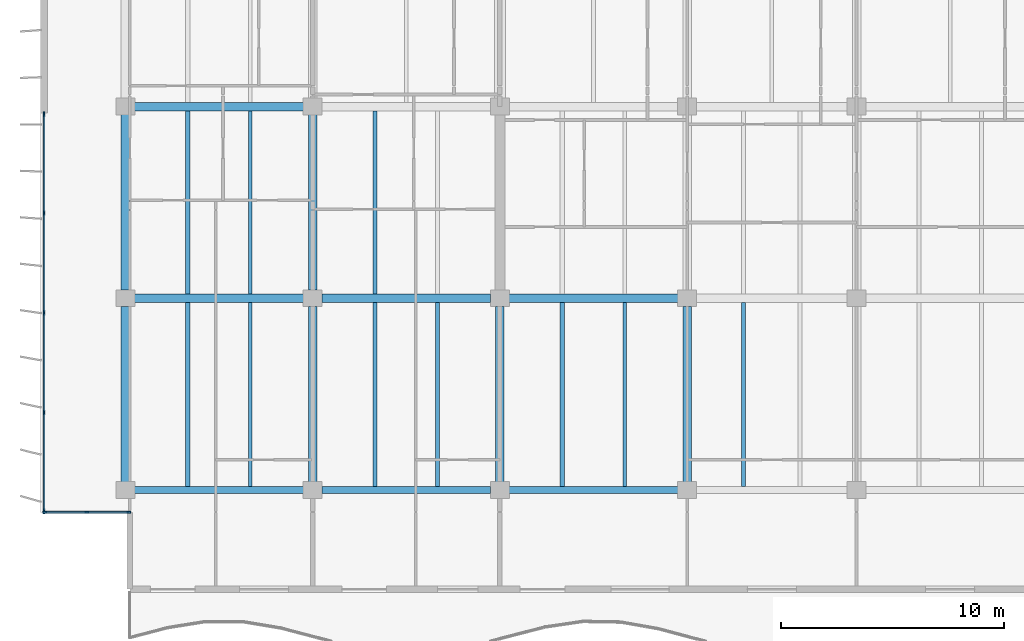
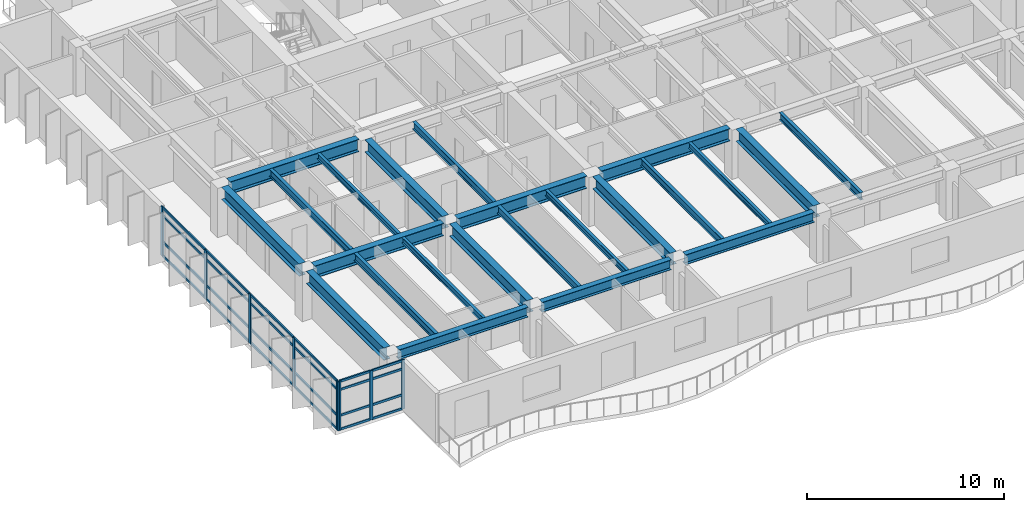
# One storey, part 2 of 18: 32 members, 23 beams, 2 elements without a shape of their own.
"""IFC4 building model written with IfcOpenShell, lengths in metres."""

from ifc_helpers import new_model, si_unit, direction, frame, origin, origin_2d, place, context, subcontext, project, spatial, rectangle, i_section, extrude, material, layer, layer_set, material_profile, profile_set, type_object, element, aggregate, save


model = new_model("IFC4")

# Units and contexts
model_context = context("Model", 3, precision=1e-05, world=origin(), true_north=direction((0.0, 1.0)))
body_context = subcontext(model_context, "Body", "Model", "MODEL_VIEW")
ifc_project = project(units=[si_unit("LENGTHUNIT", "METRE"), si_unit("AREAUNIT", "SQUARE_METRE"), si_unit("VOLUMEUNIT", "CUBIC_METRE"), si_unit("PLANEANGLEUNIT", "RADIAN"), si_unit("MASSUNIT", "GRAM", prefix="KILO")], contexts=[model_context])

# Site, building, storey
site_placement = place(None, origin())
site = spatial("IfcSite", under=ifc_project, at=site_placement, CompositionType="ELEMENT")
building_placement = place(site_placement, origin())
building = spatial("IfcBuilding", under=site, at=building_placement, Name="Caelmar Bay Residences", CompositionType="ELEMENT")
storey_placement = place(building_placement, frame((0.0, 0.0, 173.699951171875)))
storey = spatial("IfcBuildingStorey", under=building, at=storey_placement, Name="L48", CompositionType="ELEMENT", Elevation=173.699951171875)

# Beams
ifc_material_1 = material(Name="Steel ASTM A992 Grade 50", Category="steel")
ifc_material_profile_1 = material_profile(ifc_material_1, i_section(OverallWidth=0.381103515625, OverallDepth=0.77197265625, WebThickness=0.0166015625, FlangeThickness=0.027099609375, FilletRadius=0.0166015625, at=origin_2d()), Name="W30X173")
ifc_profile_set_1 = profile_set([ifc_material_profile_1], Name="Steel ASTM A992 Grade 50")
beam_type_1 = type_object("IfcBeamType", Name="BM-GRD-W30X173", PredefinedType="BEAM", material=ifc_profile_set_1)
beam_1_placement = place(storey_placement, frame((10.31494140625, 20.800048828125, 2.6640625), z_axis=(1.0, 0.0, 0.0), x_axis=(0.0, 1.0, 0.0)))
element("IfcBeam", 1, at=beam_1_placement, inside=storey, type_object=beam_type_1, Name="L48 East-West Girder Y=20.80 (9.9-18.3)", PredefinedType="BEAM", context=body_context, shape_type="SweptSolid", body=[
    extrude(i_section(OverallWidth=0.381103515625, OverallDepth=0.77197265625, WebThickness=0.0166015625, FlangeThickness=0.027099609375, FilletRadius=0.0166015625, at=origin_2d()), origin(), (0.0, 0.0, 1.0), 7.570068359375),
])
beam_2_placement = place(storey_placement, frame((18.715087890625, 20.800048828125, 2.6640625), z_axis=(1.0, 0.0, 0.0), x_axis=(0.0, 1.0, 0.0)))
element("IfcBeam", 2, at=beam_2_placement, inside=storey, type_object=beam_type_1, Name="L48 East-West Girder Y=20.80 (18.3-26.7)", PredefinedType="BEAM", context=body_context, shape_type="SweptSolid", body=[
    extrude(i_section(OverallWidth=0.381103515625, OverallDepth=0.77197265625, WebThickness=0.0166015625, FlangeThickness=0.027099609375, FilletRadius=0.0166015625, at=origin_2d()), origin(), (0.0, 0.0, 1.0), 7.56982421875),
])
for number, where, z_axis, x_axis, name in (
    (3, (27.114990234375, 20.800048828125, 2.6640625), (1.0, 0.0, 0.0), (0.0, 1.0, 0.0), "L48 East-West Girder Y=20.80 (26.7-35.1)"),
    (4, (10.31494140625, 29.39990234375, 2.6640625), (1.0, 0.0, 0.0), (0.0, 1.0, 0.0), "L48 East-West Girder Y=29.40 (9.9-18.3)"),
):
    element("IfcBeam", number, at=place(storey_placement, frame(where, z_axis=z_axis, x_axis=x_axis)), inside=storey, type_object=beam_type_1, Name=name, PredefinedType="BEAM", context=body_context, shape_type="SweptSolid", body=[
        extrude(i_section(OverallWidth=0.381103515625, OverallDepth=0.77197265625, WebThickness=0.0166015625, FlangeThickness=0.027099609375, FilletRadius=0.0166015625, at=origin_2d()), origin(), (0.0, 0.0, 1.0), 7.570068359375),
    ])
beam_3_placement = place(storey_placement, frame((9.89990234375, 12.56494140625, 2.6640625), z_axis=(0.0, 1.0, 0.0), x_axis=(-1.0, 0.0, 0.0)))
element("IfcBeam", 5, at=beam_3_placement, inside=storey, type_object=beam_type_1, Name="L48 North-South Girder X=9.90 (12.2-20.8)", PredefinedType="BEAM", context=body_context, shape_type="SweptSolid", body=[
    extrude(i_section(OverallWidth=0.381103515625, OverallDepth=0.77197265625, WebThickness=0.0166015625, FlangeThickness=0.027099609375, FilletRadius=0.0166015625, at=origin_2d()), origin(), (0.0, 0.0, 1.0), 7.8701171875),
])
beam_4_placement = place(storey_placement, frame((9.89990234375, 21.1650390625, 2.6640625), z_axis=(0.0, 1.0, 0.0), x_axis=(-1.0, 0.0, 0.0)))
element("IfcBeam", 6, at=beam_4_placement, inside=storey, type_object=beam_type_1, Name="L48 North-South Girder X=9.90 (20.8-29.4)", PredefinedType="BEAM", context=body_context, shape_type="SweptSolid", body=[
    extrude(i_section(OverallWidth=0.381103515625, OverallDepth=0.77197265625, WebThickness=0.0166015625, FlangeThickness=0.027099609375, FilletRadius=0.0166015625, at=origin_2d()), origin(), (0.0, 0.0, 1.0), 7.869873046875),
])
beam_5_placement = place(storey_placement, frame((18.300048828125, 12.56494140625, 2.6640625), z_axis=(0.0, 1.0, 0.0), x_axis=(-1.0, 0.0, 0.0)))
element("IfcBeam", 7, at=beam_5_placement, inside=storey, type_object=beam_type_1, Name="L48 North-South Girder X=18.30 (12.2-20.8)", PredefinedType="BEAM", context=body_context, shape_type="SweptSolid", body=[
    extrude(i_section(OverallWidth=0.381103515625, OverallDepth=0.77197265625, WebThickness=0.0166015625, FlangeThickness=0.027099609375, FilletRadius=0.0166015625, at=origin_2d()), origin(), (0.0, 0.0, 1.0), 7.8701171875),
])
beam_6_placement = place(storey_placement, frame((18.300048828125, 21.1650390625, 2.6640625), z_axis=(0.0, 1.0, 0.0), x_axis=(-1.0, 0.0, 0.0)))
element("IfcBeam", 8, at=beam_6_placement, inside=storey, type_object=beam_type_1, Name="L48 North-South Girder X=18.30 (20.8-29.4)", PredefinedType="BEAM", context=body_context, shape_type="SweptSolid", body=[
    extrude(i_section(OverallWidth=0.381103515625, OverallDepth=0.77197265625, WebThickness=0.0166015625, FlangeThickness=0.027099609375, FilletRadius=0.0166015625, at=origin_2d()), origin(), (0.0, 0.0, 1.0), 7.869873046875),
])
for number, where, z_axis, x_axis, name in (
    (9, (26.699951171875, 12.56494140625, 2.6640625), (0.0, 1.0, 0.0), (-1.0, 0.0, 0.0), "L48 North-South Girder X=26.70 (12.2-20.8)"),
    (10, (35.10009765625, 12.56494140625, 2.6640625), (0.0, 1.0, 0.0), (-1.0, 0.0, 0.0), "L48 North-South Girder X=35.10 (12.2-20.8)"),
):
    element("IfcBeam", number, at=place(storey_placement, frame(where, z_axis=z_axis, x_axis=x_axis)), inside=storey, type_object=beam_type_1, Name=name, PredefinedType="BEAM", context=body_context, shape_type="SweptSolid", body=[
        extrude(i_section(OverallWidth=0.381103515625, OverallDepth=0.77197265625, WebThickness=0.0166015625, FlangeThickness=0.027099609375, FilletRadius=0.0166015625, at=origin_2d()), origin(), (0.0, 0.0, 1.0), 7.8701171875),
    ])
ifc_material_profile_2 = material_profile(ifc_material_1, i_section(OverallWidth=0.1708984375, OverallDepth=0.35595703125, WebThickness=0.007080078125, FlangeThickness=0.01171875, FilletRadius=0.007568359375, at=origin_2d()), Name="W14X34")
ifc_profile_set_2 = profile_set([ifc_material_profile_2], Name="Steel ASTM A992 Grade 50")
beam_type_2 = type_object("IfcBeamType", Name="BM-JST-W14X34", PredefinedType="JOIST", material=ifc_profile_set_2)
for number, where, z_axis, x_axis, name in (
    (11, (15.5, 12.362548828125, 2.8720703125), (0.0, 1.0, 0.0), (-1.0, 0.0, 0.0), "L48 Composite Floor Joist 2"),
    (12, (23.89990234375, 12.362548828125, 2.8720703125), (0.0, 1.0, 0.0), (-1.0, 0.0, 0.0), "L48 Composite Floor Joist 4"),
    (13, (32.300048828125, 12.362548828125, 2.8720703125), (0.0, 1.0, 0.0), (-1.0, 0.0, 0.0), "L48 Composite Floor Joist 6"),
):
    element("IfcBeam", number, at=place(storey_placement, frame(where, z_axis=z_axis, x_axis=x_axis)), inside=storey, type_object=beam_type_2, Name=name, PredefinedType="JOIST", context=body_context, shape_type="SweptSolid", body=[
        extrude(i_section(OverallWidth=0.1708984375, OverallDepth=0.35595703125, WebThickness=0.007080078125, FlangeThickness=0.01171875, FilletRadius=0.007568359375, at=origin_2d()), origin(), (0.0, 0.0, 1.0), 8.2470703125),
    ])
beam_7_placement = place(storey_placement, frame((15.5, 20.990478515625, 2.8720703125), z_axis=(0.0, 1.0, 0.0), x_axis=(-1.0, 0.0, 0.0)))
element("IfcBeam", 14, at=beam_7_placement, inside=storey, type_object=beam_type_2, Name="L48 Composite Floor Joist 16", PredefinedType="JOIST", context=body_context, shape_type="SweptSolid", body=[
    extrude(i_section(OverallWidth=0.1708984375, OverallDepth=0.35595703125, WebThickness=0.007080078125, FlangeThickness=0.01171875, FilletRadius=0.007568359375, at=origin_2d()), origin(), (0.0, 0.0, 1.0), 8.218994140625),
])
ifc_material_profile_3 = material_profile(ifc_material_1, i_section(OverallWidth=0.19091796875, OverallDepth=0.45703125, WebThickness=0.009033203125, FlangeThickness=0.014404296875, FilletRadius=0.01025390625, at=origin_2d()), Name="W18X50")
ifc_profile_set_3 = profile_set([ifc_material_profile_3], Name="Steel ASTM A992 Grade 50")
beam_type_3 = type_object("IfcBeamType", Name="BM-JST-W18X50", PredefinedType="JOIST", material=ifc_profile_set_3)
for number, where, z_axis, x_axis, name in (
    (15, (12.699951171875, 12.362548828125, 2.821533203125), (0.0, 1.0, 0.0), (-1.0, 0.0, 0.0), "L48 Composite Floor Joist 1"),
    (16, (21.10009765625, 12.362548828125, 2.821533203125), (0.0, 1.0, 0.0), (-1.0, 0.0, 0.0), "L48 Composite Floor Joist 3"),
    (17, (29.5, 12.362548828125, 2.821533203125), (0.0, 1.0, 0.0), (-1.0, 0.0, 0.0), "L48 Composite Floor Joist 5"),
    (18, (37.63330078125, 12.362548828125, 2.821533203125), (0.0, 1.0, 0.0), (-1.0, 0.0, 0.0), "L48 Composite Floor Joist 7"),
):
    element("IfcBeam", number, at=place(storey_placement, frame(where, z_axis=z_axis, x_axis=x_axis)), inside=storey, type_object=beam_type_3, Name=name, PredefinedType="JOIST", context=body_context, shape_type="SweptSolid", body=[
        extrude(i_section(OverallWidth=0.19091796875, OverallDepth=0.45703125, WebThickness=0.009033203125, FlangeThickness=0.014404296875, FilletRadius=0.01025390625, at=origin_2d()), origin(), (0.0, 0.0, 1.0), 8.2470703125),
    ])
for number, where, z_axis, x_axis, name in (
    (19, (12.699951171875, 20.990478515625, 2.821533203125), (0.0, 1.0, 0.0), (-1.0, 0.0, 0.0), "L48 Composite Floor Joist 15"),
    (20, (21.10009765625, 20.990478515625, 2.821533203125), (0.0, 1.0, 0.0), (-1.0, 0.0, 0.0), "L48 Composite Floor Joist 17"),
):
    element("IfcBeam", number, at=place(storey_placement, frame(where, z_axis=z_axis, x_axis=x_axis)), inside=storey, type_object=beam_type_3, Name=name, PredefinedType="JOIST", context=body_context, shape_type="SweptSolid", body=[
        extrude(i_section(OverallWidth=0.19091796875, OverallDepth=0.45703125, WebThickness=0.009033203125, FlangeThickness=0.014404296875, FilletRadius=0.01025390625, at=origin_2d()), origin(), (0.0, 0.0, 1.0), 8.218994140625),
    ])
ifc_material_profile_4 = material_profile(ifc_material_1, i_section(OverallWidth=0.324951171875, OverallDepth=0.616943359375, WebThickness=0.013916015625, FlangeThickness=0.021484375, FilletRadius=0.0126953125, at=origin_2d()), Name="W24X117")
ifc_profile_set_4 = profile_set([ifc_material_profile_4], Name="Steel ASTM A992 Grade 50")
beam_type_4 = type_object("IfcBeamType", Name="BM-SPN-W24X117", PredefinedType="SPANDREL", material=ifc_profile_set_4)
beam_8_placement = place(storey_placement, frame((10.31494140625, 12.199951171875, 2.741455078125), z_axis=(1.0, 0.0, 0.0), x_axis=(0.0, 1.0, 0.0)))
element("IfcBeam", 21, at=beam_8_placement, inside=storey, type_object=beam_type_4, Name="L48 East-West Girder Y=12.20 (9.9-18.3)", PredefinedType="SPANDREL", context=body_context, shape_type="SweptSolid", body=[
    extrude(i_section(OverallWidth=0.324951171875, OverallDepth=0.616943359375, WebThickness=0.013916015625, FlangeThickness=0.021484375, FilletRadius=0.0126953125, at=origin_2d()), origin(), (0.0, 0.0, 1.0), 7.570068359375),
])
beam_9_placement = place(storey_placement, frame((18.715087890625, 12.199951171875, 2.741455078125), z_axis=(1.0, 0.0, 0.0), x_axis=(0.0, 1.0, 0.0)))
element("IfcBeam", 22, at=beam_9_placement, inside=storey, type_object=beam_type_4, Name="L48 East-West Girder Y=12.20 (18.3-26.7)", PredefinedType="SPANDREL", context=body_context, shape_type="SweptSolid", body=[
    extrude(i_section(OverallWidth=0.324951171875, OverallDepth=0.616943359375, WebThickness=0.013916015625, FlangeThickness=0.021484375, FilletRadius=0.0126953125, at=origin_2d()), origin(), (0.0, 0.0, 1.0), 7.56982421875),
])
beam_10_placement = place(storey_placement, frame((27.114990234375, 12.199951171875, 2.741455078125), z_axis=(1.0, 0.0, 0.0), x_axis=(0.0, 1.0, 0.0)))
element("IfcBeam", 23, at=beam_10_placement, inside=storey, type_object=beam_type_4, Name="L48 East-West Girder Y=12.20 (26.7-35.1)", PredefinedType="SPANDREL", context=body_context, shape_type="SweptSolid", body=[
    extrude(i_section(OverallWidth=0.324951171875, OverallDepth=0.616943359375, WebThickness=0.013916015625, FlangeThickness=0.021484375, FilletRadius=0.0126953125, at=origin_2d()), origin(), (0.0, 0.0, 1.0), 7.570068359375),
])

# Curtain wall, members
ifc_material_2 = material(Name="Anodised bronze aluminium 6063-T6 and laminated glass", Category="aluminium")
ifc_layer_1 = layer(ifc_material_2, 0.179931640625)
ifc_layer_set_1 = layer_set([ifc_layer_1], Name="Anodised bronze aluminium 6063-T6 and laminated glass")
curtain_wall_type_1 = type_object("IfcCurtainWallType", Name="CW6-NTC", PredefinedType="NOTDEFINED", material=ifc_layer_set_1)
curtain_wall_1_placement = place(storey_placement, origin())
curtain_wall_1 = element("IfcCurtainWall", 24, at=curtain_wall_1_placement, inside=storey, type_object=curtain_wall_type_1, Name="CW6 curtain wall L48", PredefinedType="NOTDEFINED")
ifc_material_3 = material(Name="Anodised bronze aluminium 6063-T6", Category="aluminium")
ifc_material_profile_5 = material_profile(ifc_material_3, rectangle(XDim=0.080078125, YDim=0.179931640625, at=origin_2d()), Name="CWM-80X180")
ifc_profile_set_5 = profile_set([ifc_material_profile_5], Name="Anodised bronze aluminium 6063-T6")
member_type_1 = type_object("IfcMemberType", Name="CWM-180", PredefinedType="MULLION", material=ifc_profile_set_5)
member_1_placement = place(storey_placement, frame((6.2900390625, 11.199951171875, 0.0), z_axis=(0.0, 0.0, 1.0), x_axis=(0.0, 1.0, 0.0)))
member_1 = element("IfcMember", 25, at=member_1_placement, type_object=member_type_1, Name="CW6 mullion 1", PredefinedType="MULLION", context=body_context, shape_type="SweptSolid", body=[
    extrude(rectangle(XDim=0.080078125, YDim=0.179931640625, at=origin_2d()), origin(), (0.0, 0.0, 1.0), 3.050048828125),
])
member_2_placement = place(storey_placement, frame((8.175048828125, 11.199951171875, 0.0), z_axis=(0.0, 0.0, 1.0), x_axis=(0.0, 1.0, 0.0)))
member_2 = element("IfcMember", 26, at=member_2_placement, type_object=member_type_1, Name="CW6 mullion 2", PredefinedType="MULLION", context=body_context, shape_type="SweptSolid", body=[
    extrude(rectangle(XDim=0.080078125, YDim=0.179931640625, at=origin_2d()), origin(), (0.0, 0.0, 1.0), 3.050048828125),
])
member_3_placement = place(storey_placement, frame((10.06005859375, 11.199951171875, 0.0), z_axis=(0.0, 0.0, 1.0), x_axis=(0.0, 1.0, 0.0)))
member_3 = element("IfcMember", 27, at=member_3_placement, type_object=member_type_1, Name="CW6 mullion 3", PredefinedType="MULLION", context=body_context, shape_type="SweptSolid", body=[
    extrude(rectangle(XDim=0.080078125, YDim=0.179931640625, at=origin_2d()), origin(), (0.0, 0.0, 1.0), 3.050048828125),
])

ifc_layer_2 = layer(ifc_material_2, 0.179931640625)
ifc_layer_set_2 = layer_set([ifc_layer_2], Name="Anodised bronze aluminium 6063-T6 and laminated glass")
curtain_wall_type_2 = type_object("IfcCurtainWallType", Name="CW4-Z3", PredefinedType="NOTDEFINED", material=ifc_layer_set_2)
curtain_wall_2_placement = place(storey_placement, origin())
curtain_wall_2 = element("IfcCurtainWall", 28, at=curtain_wall_2_placement, inside=storey, type_object=curtain_wall_type_2, Name="CW4 curtain wall L48", PredefinedType="NOTDEFINED")
ifc_material_profile_6 = material_profile(ifc_material_3, rectangle(XDim=0.080078125, YDim=0.219970703125, at=origin_2d()), Name="CWM-80X220")
ifc_profile_set_6 = profile_set([ifc_material_profile_6], Name="Anodised bronze aluminium 6063-T6")
member_type_2 = type_object("IfcMemberType", Name="CWM-220", PredefinedType="MULLION", material=ifc_profile_set_6)
member_4_placement = place(storey_placement, frame((6.25, 11.239990234375, 0.0), z_axis=(0.0, 0.0, 1.0), x_axis=(-1.0, 0.0, 0.0)))
member_4 = element("IfcMember", 29, at=member_4_placement, type_object=member_type_2, Name="CW4 mullion 1", PredefinedType="MULLION", context=body_context, shape_type="SweptSolid", body=[
    extrude(rectangle(XDim=0.080078125, YDim=0.219970703125, at=origin_2d()), origin(), (0.0, 0.0, 1.0), 3.050048828125),
])
member_5_placement = place(storey_placement, frame((6.25, 15.675048828125, 0.0), z_axis=(0.0, 0.0, 1.0), x_axis=(-1.0, 0.0, 0.0)))
member_5 = element("IfcMember", 30, at=member_5_placement, type_object=member_type_2, Name="CW4 mullion 2", PredefinedType="MULLION", context=body_context, shape_type="SweptSolid", body=[
    extrude(rectangle(XDim=0.080078125, YDim=0.219970703125, at=origin_2d()), origin(), (0.0, 0.0, 1.0), 3.050048828125),
])
member_6_placement = place(storey_placement, frame((6.25, 20.14990234375, 0.0), z_axis=(0.0, 0.0, 1.0), x_axis=(-1.0, 0.0, 0.0)))
member_6 = element("IfcMember", 31, at=member_6_placement, type_object=member_type_2, Name="CW4 mullion 3", PredefinedType="MULLION", context=body_context, shape_type="SweptSolid", body=[
    extrude(rectangle(XDim=0.080078125, YDim=0.219970703125, at=origin_2d()), origin(), (0.0, 0.0, 1.0), 3.050048828125),
])
member_7_placement = place(storey_placement, frame((6.25, 24.625, 0.0), z_axis=(0.0, 0.0, 1.0), x_axis=(-1.0, 0.0, 0.0)))
member_7 = element("IfcMember", 32, at=member_7_placement, type_object=member_type_2, Name="CW4 mullion 4", PredefinedType="MULLION", context=body_context, shape_type="SweptSolid", body=[
    extrude(rectangle(XDim=0.080078125, YDim=0.219970703125, at=origin_2d()), origin(), (0.0, 0.0, 1.0), 3.050048828125),
])
member_8_placement = place(storey_placement, frame((6.25, 29.06005859375, 0.0), z_axis=(0.0, 0.0, 1.0), x_axis=(-1.0, 0.0, 0.0)))
member_8 = element("IfcMember", 33, at=member_8_placement, type_object=member_type_2, Name="CW4 mullion 5", PredefinedType="MULLION", context=body_context, shape_type="SweptSolid", body=[
    extrude(rectangle(XDim=0.080078125, YDim=0.219970703125, at=origin_2d()), origin(), (0.0, 0.0, 1.0), 3.050048828125),
])

# Member
ifc_material_profile_7 = material_profile(ifc_material_3, rectangle(XDim=0.080078125, YDim=0.139892578125, at=origin_2d()), Name="CWT-80X140")
ifc_profile_set_7 = profile_set([ifc_material_profile_7], Name="Anodised bronze aluminium 6063-T6")
member_type_3 = type_object("IfcMemberType", Name="CWT-140", PredefinedType="NOTDEFINED", material=ifc_profile_set_7)
member_9_placement = place(storey_placement, frame((6.330078125, 11.199951171875, 0.0400390625), z_axis=(1.0, 0.0, 0.0), x_axis=(0.0, 1.0, 0.0)))
member_9 = element("IfcMember", 34, at=member_9_placement, type_object=member_type_3, Name="CW6 transom 1.1", ObjectType="TRANSOM", PredefinedType="USERDEFINED", context=body_context, shape_type="SweptSolid", body=[
    extrude(rectangle(XDim=0.080078125, YDim=0.139892578125, at=origin_2d()), origin(), (0.0, 0.0, 1.0), 1.804931640625),
])

member_10_placement = place(storey_placement, frame((6.330078125, 11.199951171875, 0.900146484375), z_axis=(1.0, 0.0, 0.0), x_axis=(0.0, 1.0, 0.0)))
member_10 = element("IfcMember", 35, at=member_10_placement, type_object=member_type_3, Name="CW6 transom 1.2", ObjectType="TRANSOM", PredefinedType="USERDEFINED", context=body_context, shape_type="SweptSolid", body=[
    extrude(rectangle(XDim=0.080078125, YDim=0.139892578125, at=origin_2d()), origin(), (0.0, 0.0, 1.0), 1.804931640625),
])

member_11_placement = place(storey_placement, frame((6.330078125, 11.199951171875, 2.5), z_axis=(1.0, 0.0, 0.0), x_axis=(0.0, 1.0, 0.0)))
member_11 = element("IfcMember", 36, at=member_11_placement, type_object=member_type_3, Name="CW6 transom 1.3", ObjectType="TRANSOM", PredefinedType="USERDEFINED", context=body_context, shape_type="SweptSolid", body=[
    extrude(rectangle(XDim=0.080078125, YDim=0.139892578125, at=origin_2d()), origin(), (0.0, 0.0, 1.0), 1.804931640625),
])

member_12_placement = place(storey_placement, frame((6.330078125, 11.199951171875, 3.010009765625), z_axis=(1.0, 0.0, 0.0), x_axis=(0.0, 1.0, 0.0)))
member_12 = element("IfcMember", 37, at=member_12_placement, type_object=member_type_3, Name="CW6 transom 1.4", ObjectType="TRANSOM", PredefinedType="USERDEFINED", context=body_context, shape_type="SweptSolid", body=[
    extrude(rectangle(XDim=0.080078125, YDim=0.139892578125, at=origin_2d()), origin(), (0.0, 0.0, 1.0), 1.804931640625),
])

member_13_placement = place(storey_placement, frame((8.215087890625, 11.199951171875, 0.0400390625), z_axis=(1.0, 0.0, 0.0), x_axis=(0.0, 1.0, 0.0)))
member_13 = element("IfcMember", 38, at=member_13_placement, type_object=member_type_3, Name="CW6 transom 2.1", ObjectType="TRANSOM", PredefinedType="USERDEFINED", context=body_context, shape_type="SweptSolid", body=[
    extrude(rectangle(XDim=0.080078125, YDim=0.139892578125, at=origin_2d()), origin(), (0.0, 0.0, 1.0), 1.804931640625),
])

member_14_placement = place(storey_placement, frame((8.215087890625, 11.199951171875, 0.900146484375), z_axis=(1.0, 0.0, 0.0), x_axis=(0.0, 1.0, 0.0)))
member_14 = element("IfcMember", 39, at=member_14_placement, type_object=member_type_3, Name="CW6 transom 2.2", ObjectType="TRANSOM", PredefinedType="USERDEFINED", context=body_context, shape_type="SweptSolid", body=[
    extrude(rectangle(XDim=0.080078125, YDim=0.139892578125, at=origin_2d()), origin(), (0.0, 0.0, 1.0), 1.804931640625),
])

member_15_placement = place(storey_placement, frame((8.215087890625, 11.199951171875, 2.5), z_axis=(1.0, 0.0, 0.0), x_axis=(0.0, 1.0, 0.0)))
member_15 = element("IfcMember", 40, at=member_15_placement, type_object=member_type_3, Name="CW6 transom 2.3", ObjectType="TRANSOM", PredefinedType="USERDEFINED", context=body_context, shape_type="SweptSolid", body=[
    extrude(rectangle(XDim=0.080078125, YDim=0.139892578125, at=origin_2d()), origin(), (0.0, 0.0, 1.0), 1.804931640625),
])

member_16_placement = place(storey_placement, frame((8.215087890625, 11.199951171875, 3.010009765625), z_axis=(1.0, 0.0, 0.0), x_axis=(0.0, 1.0, 0.0)))
member_16 = element("IfcMember", 41, at=member_16_placement, type_object=member_type_3, Name="CW6 transom 2.4", ObjectType="TRANSOM", PredefinedType="USERDEFINED", context=body_context, shape_type="SweptSolid", body=[
    extrude(rectangle(XDim=0.080078125, YDim=0.139892578125, at=origin_2d()), origin(), (0.0, 0.0, 1.0), 1.804931640625),
])

aggregate(curtain_wall_1, [member_1, member_2, member_3, member_9, member_10, member_11, member_12, member_13, member_14, member_15, member_16])

member_17_placement = place(storey_placement, frame((6.25, 11.280029296875, 0.0400390625), z_axis=(0.0, 1.0, 0.0), x_axis=(-1.0, 0.0, 0.0)))
member_17 = element("IfcMember", 42, at=member_17_placement, type_object=member_type_3, Name="CW4 transom 1.1", ObjectType="TRANSOM", PredefinedType="USERDEFINED", context=body_context, shape_type="SweptSolid", body=[
    extrude(rectangle(XDim=0.080078125, YDim=0.139892578125, at=origin_2d()), origin(), (0.0, 0.0, 1.0), 4.35498046875),
])

member_18_placement = place(storey_placement, frame((6.25, 11.280029296875, 0.900146484375), z_axis=(0.0, 1.0, 0.0), x_axis=(-1.0, 0.0, 0.0)))
member_18 = element("IfcMember", 43, at=member_18_placement, type_object=member_type_3, Name="CW4 transom 1.2", ObjectType="TRANSOM", PredefinedType="USERDEFINED", context=body_context, shape_type="SweptSolid", body=[
    extrude(rectangle(XDim=0.080078125, YDim=0.139892578125, at=origin_2d()), origin(), (0.0, 0.0, 1.0), 4.35498046875),
])

member_19_placement = place(storey_placement, frame((6.25, 11.280029296875, 2.5), z_axis=(0.0, 1.0, 0.0), x_axis=(-1.0, 0.0, 0.0)))
member_19 = element("IfcMember", 44, at=member_19_placement, type_object=member_type_3, Name="CW4 transom 1.3", ObjectType="TRANSOM", PredefinedType="USERDEFINED", context=body_context, shape_type="SweptSolid", body=[
    extrude(rectangle(XDim=0.080078125, YDim=0.139892578125, at=origin_2d()), origin(), (0.0, 0.0, 1.0), 4.35498046875),
])

member_20_placement = place(storey_placement, frame((6.25, 11.280029296875, 3.010009765625), z_axis=(0.0, 1.0, 0.0), x_axis=(-1.0, 0.0, 0.0)))
member_20 = element("IfcMember", 45, at=member_20_placement, type_object=member_type_3, Name="CW4 transom 1.4", ObjectType="TRANSOM", PredefinedType="USERDEFINED", context=body_context, shape_type="SweptSolid", body=[
    extrude(rectangle(XDim=0.080078125, YDim=0.139892578125, at=origin_2d()), origin(), (0.0, 0.0, 1.0), 4.35498046875),
])

member_21_placement = place(storey_placement, frame((6.25, 15.715087890625, 0.0400390625), z_axis=(0.0, 1.0, 0.0), x_axis=(-1.0, 0.0, 0.0)))
member_21 = element("IfcMember", 46, at=member_21_placement, type_object=member_type_3, Name="CW4 transom 2.1", ObjectType="TRANSOM", PredefinedType="USERDEFINED", context=body_context, shape_type="SweptSolid", body=[
    extrude(rectangle(XDim=0.080078125, YDim=0.139892578125, at=origin_2d()), origin(), (0.0, 0.0, 1.0), 4.39501953125),
])

member_22_placement = place(storey_placement, frame((6.25, 15.715087890625, 0.900146484375), z_axis=(0.0, 1.0, 0.0), x_axis=(-1.0, 0.0, 0.0)))
member_22 = element("IfcMember", 47, at=member_22_placement, type_object=member_type_3, Name="CW4 transom 2.2", ObjectType="TRANSOM", PredefinedType="USERDEFINED", context=body_context, shape_type="SweptSolid", body=[
    extrude(rectangle(XDim=0.080078125, YDim=0.139892578125, at=origin_2d()), origin(), (0.0, 0.0, 1.0), 4.39501953125),
])

member_23_placement = place(storey_placement, frame((6.25, 15.715087890625, 2.5), z_axis=(0.0, 1.0, 0.0), x_axis=(-1.0, 0.0, 0.0)))
member_23 = element("IfcMember", 48, at=member_23_placement, type_object=member_type_3, Name="CW4 transom 2.3", ObjectType="TRANSOM", PredefinedType="USERDEFINED", context=body_context, shape_type="SweptSolid", body=[
    extrude(rectangle(XDim=0.080078125, YDim=0.139892578125, at=origin_2d()), origin(), (0.0, 0.0, 1.0), 4.39501953125),
])

member_24_placement = place(storey_placement, frame((6.25, 15.715087890625, 3.010009765625), z_axis=(0.0, 1.0, 0.0), x_axis=(-1.0, 0.0, 0.0)))
member_24 = element("IfcMember", 49, at=member_24_placement, type_object=member_type_3, Name="CW4 transom 2.4", ObjectType="TRANSOM", PredefinedType="USERDEFINED", context=body_context, shape_type="SweptSolid", body=[
    extrude(rectangle(XDim=0.080078125, YDim=0.139892578125, at=origin_2d()), origin(), (0.0, 0.0, 1.0), 4.39501953125),
])

member_25_placement = place(storey_placement, frame((6.25, 20.18994140625, 0.0400390625), z_axis=(0.0, 1.0, 0.0), x_axis=(-1.0, 0.0, 0.0)))
member_25 = element("IfcMember", 50, at=member_25_placement, type_object=member_type_3, Name="CW4 transom 3.1", ObjectType="TRANSOM", PredefinedType="USERDEFINED", context=body_context, shape_type="SweptSolid", body=[
    extrude(rectangle(XDim=0.080078125, YDim=0.139892578125, at=origin_2d()), origin(), (0.0, 0.0, 1.0), 4.39501953125),
])

member_26_placement = place(storey_placement, frame((6.25, 20.18994140625, 0.900146484375), z_axis=(0.0, 1.0, 0.0), x_axis=(-1.0, 0.0, 0.0)))
member_26 = element("IfcMember", 51, at=member_26_placement, type_object=member_type_3, Name="CW4 transom 3.2", ObjectType="TRANSOM", PredefinedType="USERDEFINED", context=body_context, shape_type="SweptSolid", body=[
    extrude(rectangle(XDim=0.080078125, YDim=0.139892578125, at=origin_2d()), origin(), (0.0, 0.0, 1.0), 4.39501953125),
])

member_27_placement = place(storey_placement, frame((6.25, 20.18994140625, 2.5), z_axis=(0.0, 1.0, 0.0), x_axis=(-1.0, 0.0, 0.0)))
member_27 = element("IfcMember", 52, at=member_27_placement, type_object=member_type_3, Name="CW4 transom 3.3", ObjectType="TRANSOM", PredefinedType="USERDEFINED", context=body_context, shape_type="SweptSolid", body=[
    extrude(rectangle(XDim=0.080078125, YDim=0.139892578125, at=origin_2d()), origin(), (0.0, 0.0, 1.0), 4.39501953125),
])

member_28_placement = place(storey_placement, frame((6.25, 20.18994140625, 3.010009765625), z_axis=(0.0, 1.0, 0.0), x_axis=(-1.0, 0.0, 0.0)))
member_28 = element("IfcMember", 53, at=member_28_placement, type_object=member_type_3, Name="CW4 transom 3.4", ObjectType="TRANSOM", PredefinedType="USERDEFINED", context=body_context, shape_type="SweptSolid", body=[
    extrude(rectangle(XDim=0.080078125, YDim=0.139892578125, at=origin_2d()), origin(), (0.0, 0.0, 1.0), 4.39501953125),
])

member_29_placement = place(storey_placement, frame((6.25, 24.6650390625, 0.0400390625), z_axis=(0.0, 1.0, 0.0), x_axis=(-1.0, 0.0, 0.0)))
member_29 = element("IfcMember", 54, at=member_29_placement, type_object=member_type_3, Name="CW4 transom 4.1", ObjectType="TRANSOM", PredefinedType="USERDEFINED", context=body_context, shape_type="SweptSolid", body=[
    extrude(rectangle(XDim=0.080078125, YDim=0.139892578125, at=origin_2d()), origin(), (0.0, 0.0, 1.0), 4.35498046875),
])

member_30_placement = place(storey_placement, frame((6.25, 24.6650390625, 0.900146484375), z_axis=(0.0, 1.0, 0.0), x_axis=(-1.0, 0.0, 0.0)))
member_30 = element("IfcMember", 55, at=member_30_placement, type_object=member_type_3, Name="CW4 transom 4.2", ObjectType="TRANSOM", PredefinedType="USERDEFINED", context=body_context, shape_type="SweptSolid", body=[
    extrude(rectangle(XDim=0.080078125, YDim=0.139892578125, at=origin_2d()), origin(), (0.0, 0.0, 1.0), 4.35498046875),
])

member_31_placement = place(storey_placement, frame((6.25, 24.6650390625, 2.5), z_axis=(0.0, 1.0, 0.0), x_axis=(-1.0, 0.0, 0.0)))
member_31 = element("IfcMember", 56, at=member_31_placement, type_object=member_type_3, Name="CW4 transom 4.3", ObjectType="TRANSOM", PredefinedType="USERDEFINED", context=body_context, shape_type="SweptSolid", body=[
    extrude(rectangle(XDim=0.080078125, YDim=0.139892578125, at=origin_2d()), origin(), (0.0, 0.0, 1.0), 4.35498046875),
])

member_32_placement = place(storey_placement, frame((6.25, 24.6650390625, 3.010009765625), z_axis=(0.0, 1.0, 0.0), x_axis=(-1.0, 0.0, 0.0)))
member_32 = element("IfcMember", 57, at=member_32_placement, type_object=member_type_3, Name="CW4 transom 4.4", ObjectType="TRANSOM", PredefinedType="USERDEFINED", context=body_context, shape_type="SweptSolid", body=[
    extrude(rectangle(XDim=0.080078125, YDim=0.139892578125, at=origin_2d()), origin(), (0.0, 0.0, 1.0), 4.35498046875),
])

aggregate(curtain_wall_2, [member_4, member_5, member_6, member_7, member_8, member_17, member_18, member_19, member_20, member_21, member_22, member_23, member_24, member_25, member_26, member_27, member_28, member_29, member_30, member_31, member_32])

save(model, "model.ifc")
